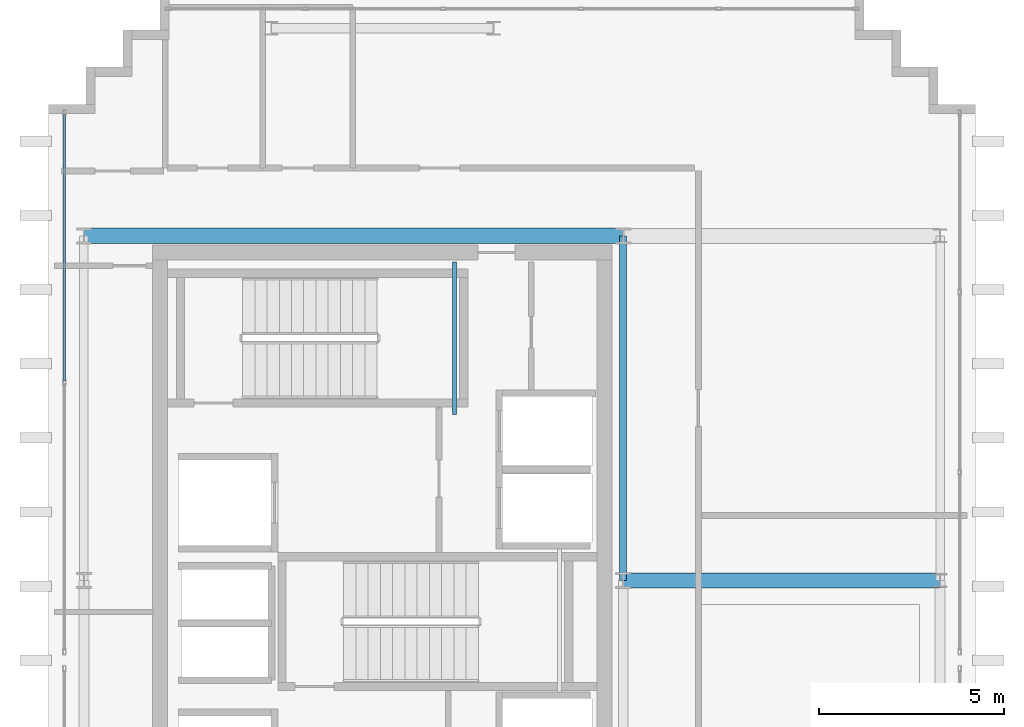
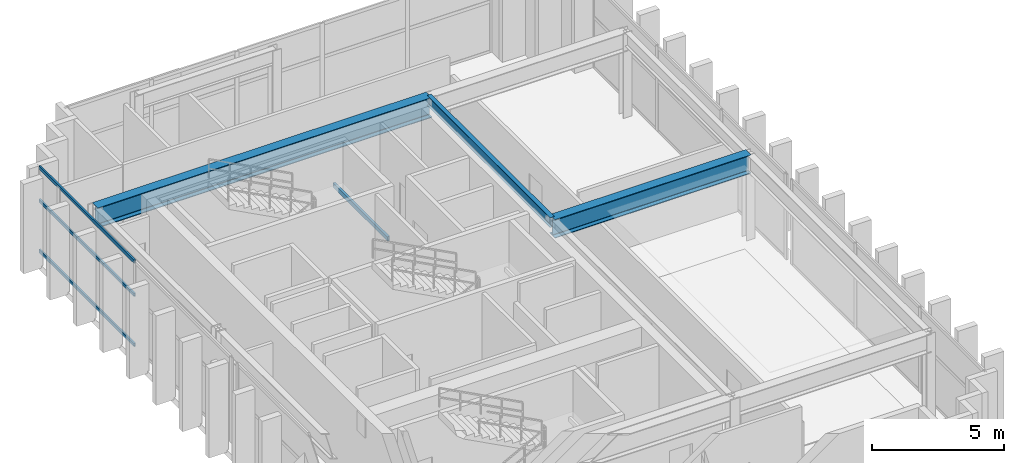
# One storey, part 6 of 14: 4 beams, 3 members, 1 element without a shape of its own.
"""IFC4 building model written with IfcOpenShell, lengths in metres."""

from ifc_helpers import new_model, si_unit, direction, frame, origin, origin_2d, place, context, subcontext, project, spatial, hollow_rectangle, i_section, extrude, source, transform, mapped, material, layer, layer_set, material_profile, profile_set, type_object, element, aggregate, save


model = new_model("IFC4")

# Units and contexts
model_context = context("Model", 3, precision=1e-05, world=origin(), true_north=direction((0.0, 1.0)))
body_context = subcontext(model_context, "Body", "Model", "MODEL_VIEW")
ifc_project = project(units=[si_unit("LENGTHUNIT", "METRE"), si_unit("AREAUNIT", "SQUARE_METRE"), si_unit("VOLUMEUNIT", "CUBIC_METRE"), si_unit("PLANEANGLEUNIT", "RADIAN"), si_unit("MASSUNIT", "GRAM", prefix="KILO")], contexts=[model_context])

# Site, building, storey
site_placement = place(None, origin())
site = spatial("IfcSite", under=ifc_project, at=site_placement, CompositionType="ELEMENT")
building_placement = place(site_placement, origin())
building = spatial("IfcBuilding", under=site, at=building_placement, Name="Ocotamira Hotel", CompositionType="ELEMENT")
storey_placement = place(building_placement, frame((0.0, 0.0, 301.199951171875)))
storey = spatial("IfcBuildingStorey", under=building, at=storey_placement, Name="L77", CompositionType="ELEMENT", Elevation=301.199951171875)

# Beams
ifc_material_1 = material(Name="Steel ASTM A500 Grade C", Category="steel")
ifc_material_profile_1 = material_profile(ifc_material_1, hollow_rectangle(XDim=0.10009765625, YDim=0.199951171875, WallThickness=0.008056640625, at=origin_2d()), Name="HSS200X100X8")
ifc_profile_set_1 = profile_set([ifc_material_profile_1], Name="Steel ASTM A500 Grade C")
beam_type_1 = type_object("IfcBeamType", Name="BM-STLDG-HSS200", PredefinedType="BEAM", material=ifc_profile_set_1)
shared_shape_1 = source(origin(), body_context, "Body", "SweptSolid", [
    extrude(hollow_rectangle(XDim=0.10009765625, YDim=0.199951171875, WallThickness=0.008056640625, at=origin_2d()), origin(), (0.0, 0.0, 1.0), 4.1201171875),
])
beam_1_placement = place(storey_placement, frame((18.949951171875, 32.6298828125, 1.800048828125), z_axis=(0.0, 1.0, 0.0), x_axis=(-1.0, 0.0, 0.0)))
element("IfcBeam", 1, at=beam_1_placement, inside=storey, type_object=beam_type_1, Name="L77 Stair ST-2 Landing Bearer 1", PredefinedType="BEAM", context=body_context, shape_type="MappedRepresentation", body=[
    mapped(shared_shape_1, transform((0.0, 0.0, 0.0), scale=1.0)),
])
ifc_material_2 = material(Name="Steel ASTM A992 Grade 50", Category="steel")
ifc_material_profile_2 = material_profile(ifc_material_2, i_section(OverallWidth=0.41796875, OverallDepth=0.927001953125, WebThickness=0.019287109375, FlangeThickness=0.031982421875, FilletRadius=0.02392578125, at=origin_2d()), Name="W36X231")
ifc_profile_set_2 = profile_set([ifc_material_profile_2], Name="Steel ASTM A992 Grade 50")
beam_type_2 = type_object("IfcBeamType", Name="BM-GIRD-W36X231", PredefinedType="BEAM", material=ifc_profile_set_2)
shared_shape_2 = source(origin(), body_context, "Body", "SweptSolid", [
    extrude(i_section(OverallWidth=0.41796875, OverallDepth=0.927001953125, WebThickness=0.019287109375, FlangeThickness=0.031982421875, FilletRadius=0.02392578125, at=origin_2d()), origin(), (0.0, 0.0, 1.0), 14.550048828125),
])
beam_2_placement = place(storey_placement, frame((8.949951171875, 37.449951171875, 3.45654296875), z_axis=(1.0, 0.0, 0.0), x_axis=(0.0, 1.0, 0.0)))
element("IfcBeam", 2, at=beam_2_placement, inside=storey, type_object=beam_type_2, Name="L77 Girder Y37.45 X8.95-23.5", PredefinedType="BEAM", context=body_context, shape_type="MappedRepresentation", body=[
    mapped(shared_shape_2, transform((0.0, 0.0, 0.0), scale=1.0)),
])
ifc_material_profile_3 = material_profile(ifc_material_2, i_section(OverallWidth=0.18994140625, OverallDepth=0.45703125, WebThickness=0.009033203125, FlangeThickness=0.014404296875, FilletRadius=0.010009765625, at=origin_2d()), Name="W18X50")
ifc_profile_set_3 = profile_set([ifc_material_profile_3], Name="Steel ASTM A992 Grade 50")
beam_type_3 = type_object("IfcBeamType", Name="BM-SEC-W18X50", PredefinedType="JOIST", material=ifc_profile_set_3)
shared_shape_3 = source(origin(), body_context, "Body", "SweptSolid", [
    extrude(i_section(OverallWidth=0.18994140625, OverallDepth=0.45703125, WebThickness=0.009033203125, FlangeThickness=0.014404296875, FilletRadius=0.010009765625, at=origin_2d()), origin(), (0.0, 0.0, 1.0), 9.300048828125),
])
beam_3_placement = place(storey_placement, frame((23.5, 28.14990234375, 3.691650390625), z_axis=(0.0, 1.0, 0.0), x_axis=(-1.0, 0.0, 0.0)))
element("IfcBeam", 3, at=beam_3_placement, inside=storey, type_object=beam_type_3, Name="L77 Beam X23.5 Y28.15-37.45", PredefinedType="JOIST", context=body_context, shape_type="MappedRepresentation", body=[
    mapped(shared_shape_3, transform((0.0, 0.0, 0.0), scale=1.0)),
])
ifc_material_profile_4 = material_profile(ifc_material_2, i_section(OverallWidth=0.39990234375, OverallDepth=0.85595703125, WebThickness=0.018310546875, FlangeThickness=0.029296875, FilletRadius=0.02001953125, at=origin_2d()), Name="W33X201")
ifc_profile_set_4 = profile_set([ifc_material_profile_4], Name="Steel ASTM A992 Grade 50")
beam_type_4 = type_object("IfcBeamType", Name="BM-GIRD-W33X201", PredefinedType="BEAM", material=ifc_profile_set_4)
shared_shape_4 = source(origin(), body_context, "Body", "SweptSolid", [
    extrude(i_section(OverallWidth=0.39990234375, OverallDepth=0.85595703125, WebThickness=0.018310546875, FlangeThickness=0.029296875, FilletRadius=0.02001953125, at=origin_2d()), origin(), (0.0, 0.0, 1.0), 8.550048828125),
])
beam_4_placement = place(storey_placement, frame((23.5, 28.14990234375, 3.491943359375), z_axis=(1.0, 0.0, 0.0), x_axis=(0.0, 1.0, 0.0)))
element("IfcBeam", 4, at=beam_4_placement, inside=storey, type_object=beam_type_4, Name="L77 Girder Y28.15 X23.5-32.05", PredefinedType="BEAM", context=body_context, shape_type="MappedRepresentation", body=[
    mapped(shared_shape_4, transform((0.0, 0.0, 0.0), scale=1.0)),
])

# Curtain wall, members
ifc_material_3 = material(Name="Anodised pale-metal aluminium and solar glass", Category="aluminium")
ifc_layer = layer(ifc_material_3, 0.2099609375)
ifc_layer_set = layer_set([ifc_layer], Name="Anodised pale-metal aluminium and solar glass")
curtain_wall_type = type_object("IfcCurtainWallType", Name="CW-SYS7-PEAK", PredefinedType="NOTDEFINED", material=ifc_layer_set)
curtain_wall_placement = place(storey_placement, origin())
curtain_wall = element("IfcCurtainWall", 5, at=curtain_wall_placement, inside=storey, type_object=curtain_wall_type, Name="L77 Curtain Wall CW-7 CW-L77-W2", PredefinedType="NOTDEFINED")
ifc_material_4 = material(Name="Anodised pale-metal aluminium 6063-T6", Category="aluminium")
ifc_material_profile_5 = material_profile(ifc_material_4, hollow_rectangle(XDim=0.074951171875, YDim=0.14990234375, WallThickness=0.006103515625, at=origin_2d()), Name="HSS150X75X6")
ifc_profile_set_5 = profile_set([ifc_material_profile_5], Name="Anodised pale-metal aluminium 6063-T6")
member_type = type_object("IfcMemberType", Name="CWT-150X75", PredefinedType="USERDEFINED", material=ifc_profile_set_5)
shared_shape_5 = source(origin(), body_context, "Body", "SweptSolid", [
    extrude(hollow_rectangle(XDim=0.074951171875, YDim=0.14990234375, WallThickness=0.006103515625, at=origin_2d()), origin(), (0.0, 0.0, 1.0), 7.179931640625),
])
member_1_placement = place(storey_placement, frame((8.419921875, 33.5400390625, 0.03759765625), z_axis=(0.0, 1.0, 0.0), x_axis=(-1.0, 0.0, 0.0)))
member_1 = element("IfcMember", 6, at=member_1_placement, type_object=member_type, Name="CW-7 transom 2.1", ObjectType="TRANSOM", PredefinedType="USERDEFINED", context=body_context, shape_type="MappedRepresentation", body=[
    mapped(shared_shape_5, transform((0.0, 0.0, 0.0), scale=1.0)),
])
member_2_placement = place(storey_placement, frame((8.419921875, 33.5400390625, 2.35009765625), z_axis=(0.0, 1.0, 0.0), x_axis=(-1.0, 0.0, 0.0)))
member_2 = element("IfcMember", 7, at=member_2_placement, type_object=member_type, Name="CW-7 transom 2.2", ObjectType="TRANSOM", PredefinedType="USERDEFINED", context=body_context, shape_type="MappedRepresentation", body=[
    mapped(shared_shape_5, transform((0.0, 0.0, 0.0), scale=1.0)),
])
member_3_placement = place(storey_placement, frame((8.419921875, 33.5400390625, 3.882568359375), z_axis=(0.0, 1.0, 0.0), x_axis=(-1.0, 0.0, 0.0)))
member_3 = element("IfcMember", 8, at=member_3_placement, type_object=member_type, Name="CW-7 transom 2.3", ObjectType="TRANSOM", PredefinedType="USERDEFINED", context=body_context, shape_type="MappedRepresentation", body=[
    mapped(shared_shape_5, transform((0.0, 0.0, 0.0), scale=1.0)),
])
aggregate(curtain_wall, [member_1, member_2, member_3])

save(model, "model.ifc")
